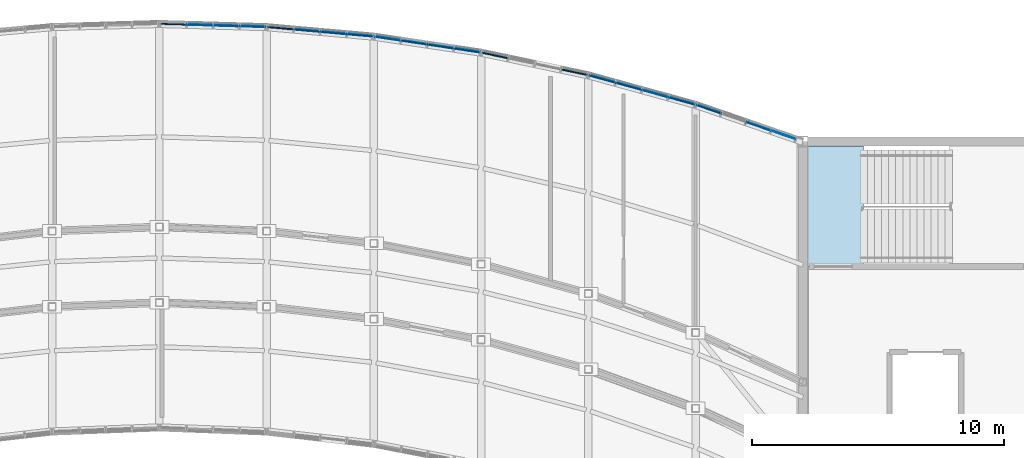
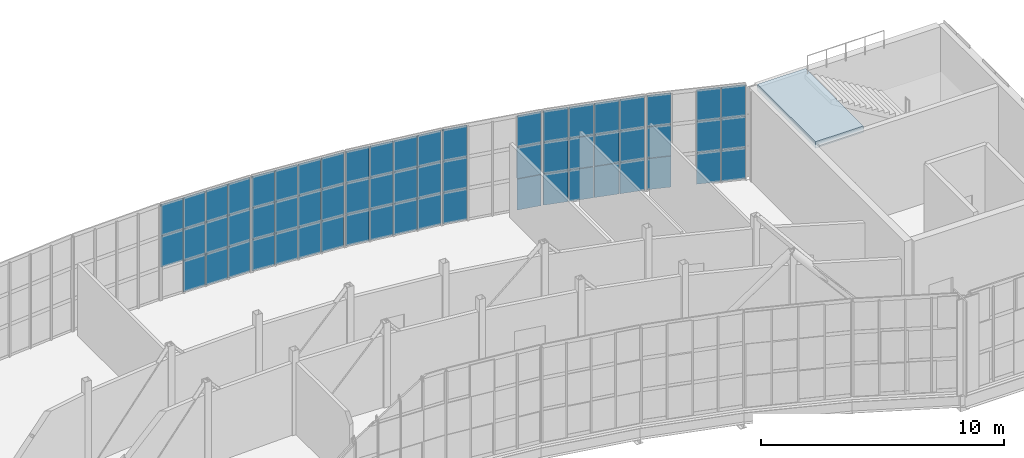
# One storey, part 38 of 46: 62 plates, 1 slab, 7 elements without a shape of their own.
"""IFC4 building model written with IfcOpenShell, lengths in metres."""

from ifc_helpers import new_model, si_unit, direction, frame, origin, origin_2d, place, context, subcontext, project, spatial, polyline, rectangle, outline, extrude, material, layer, layer_set, type_object, element, aggregate, save


model = new_model("IFC4")

# Units and contexts
model_context = context("Model", 3, precision=1e-05, world=origin(), true_north=direction((0.0, 1.0)))
body_context = subcontext(model_context, "Body", "Model", "MODEL_VIEW")
ifc_project = project(units=[si_unit("LENGTHUNIT", "METRE"), si_unit("AREAUNIT", "SQUARE_METRE"), si_unit("VOLUMEUNIT", "CUBIC_METRE"), si_unit("PLANEANGLEUNIT", "RADIAN"), si_unit("MASSUNIT", "GRAM", prefix="KILO")], contexts=[model_context])

# Site, building, storey
site_placement = place(None, origin())
site = spatial("IfcSite", under=ifc_project, at=site_placement, CompositionType="ELEMENT")
building_placement = place(site_placement, origin())
building = spatial("IfcBuilding", under=site, at=building_placement, Name="Solvikara Media Centre", CompositionType="ELEMENT")
storey_placement = place(building_placement, frame((0.0, 0.0, 24.60009765625)))
storey = spatial("IfcBuildingStorey", under=building, at=storey_placement, Name="L05", CompositionType="ELEMENT", Elevation=24.60009765625)

# Curtain wall, plates
ifc_material_1 = material(Name="Anodised aluminium EN AW-6063", Category="aluminium")
curtain_wall_type = type_object("IfcCurtainWallType", Name="CW-02", PredefinedType="NOTDEFINED", material=ifc_material_1)
curtain_wall_1_placement = place(storey_placement, origin())
curtain_wall_1 = element("IfcCurtainWall", 1, at=curtain_wall_1_placement, inside=storey, type_object=curtain_wall_type, Name="CW-L05-NARC-06", PredefinedType="NOTDEFINED")
ifc_material_2 = material(Name="Laminated solar-control cyan vision glass", Category="glass")
ifc_layer_1 = layer(ifc_material_2, 0.035888671875)
ifc_layer_set_1 = layer_set([ifc_layer_1], Name="Laminated solar-control cyan vision glass")
plate_type_1 = type_object("IfcPlateType", Name="PN-01", PredefinedType="CURTAIN_PANEL", material=ifc_layer_set_1)
plate_1_placement = place(storey_placement, frame((103.60205078125, 41.419921875, 1.62158203125), z_axis=(0.0, 0.0, 1.0), x_axis=(0.999560377741, -0.02964879847, 0.0)))
plate_1 = element("IfcPlate", 2, at=plate_1_placement, type_object=plate_type_1, Name="CW-L05-NARC-06-P0101", PredefinedType="CURTAIN_PANEL", context=body_context, shape_type="SweptSolid", body=[
    extrude(rectangle(XDim=1.014892578125, YDim=0.035888671875, at=origin_2d()), origin(), (0.0, 0.0, 1.0), 1.556884765625),
])
plate_2_placement = place(storey_placement, frame((103.60205078125, 41.419921875, 3.20849609375), z_axis=(0.0, 0.0, 1.0), x_axis=(0.999560377741, -0.02964879847, 0.0)))
plate_2 = element("IfcPlate", 3, at=plate_2_placement, type_object=plate_type_1, Name="CW-L05-NARC-06-P0102", PredefinedType="CURTAIN_PANEL", context=body_context, shape_type="SweptSolid", body=[
    extrude(rectangle(XDim=1.014892578125, YDim=0.035888671875, at=origin_2d()), origin(), (0.0, 0.0, 1.0), 1.556884765625),
])
plate_3_placement = place(storey_placement, frame((104.64794921875, 41.387939453125, 1.62158203125), z_axis=(0.0, 0.0, 1.0), x_axis=(0.999560377741, -0.02964879847, 0.0)))
plate_3 = element("IfcPlate", 4, at=plate_3_placement, type_object=plate_type_1, Name="CW-L05-NARC-06-P0201", PredefinedType="CURTAIN_PANEL", context=body_context, shape_type="SweptSolid", body=[
    extrude(rectangle(XDim=1.014892578125, YDim=0.035888671875, at=origin_2d()), origin(), (0.0, 0.0, 1.0), 1.556884765625),
])
plate_4_placement = place(storey_placement, frame((105.69189453125, 41.35791015625, 0.03466796875), z_axis=(0.0, 0.0, 1.0), x_axis=(0.999560377741, -0.02964879847, 0.0)))
plate_4 = element("IfcPlate", 5, at=plate_4_placement, type_object=plate_type_1, Name="CW-L05-NARC-06-P0300", PredefinedType="CURTAIN_PANEL", context=body_context, shape_type="SweptSolid", body=[
    extrude(rectangle(XDim=1.014892578125, YDim=0.035888671875, at=origin_2d()), origin(), (0.0, 0.0, 1.0), 1.556884765625),
])

curtain_wall_2_placement = place(storey_placement, origin())
curtain_wall_2 = element("IfcCurtainWall", 6, at=curtain_wall_2_placement, inside=storey, type_object=curtain_wall_type, Name="CW-L05-NARC-07", PredefinedType="NOTDEFINED")
plate_5_placement = place(storey_placement, frame((107.85302734375, 41.198974609375, 1.62158203125), z_axis=(0.0, 0.0, 1.0), x_axis=(0.99608438842, -0.088407528781, 0.0)))
plate_5 = element("IfcPlate", 7, at=plate_5_placement, type_object=plate_type_1, Name="CW-L05-NARC-07-P0101", PredefinedType="CURTAIN_PANEL", context=body_context, shape_type="SweptSolid", body=[
    extrude(rectangle(XDim=1.01904296875, YDim=0.035888671875, at=origin_2d()), origin(), (0.0, 0.0, 1.0), 1.556884765625),
])
plate_6_placement = place(storey_placement, frame((108.89794921875, 41.10595703125, 0.03466796875), z_axis=(0.0, 0.0, 1.0), x_axis=(0.99608438842, -0.088407528781, 0.0)))
plate_6 = element("IfcPlate", 8, at=plate_6_placement, type_object=plate_type_1, Name="CW-L05-NARC-07-P0200", PredefinedType="CURTAIN_PANEL", context=body_context, shape_type="SweptSolid", body=[
    extrude(rectangle(XDim=1.01904296875, YDim=0.035888671875, at=origin_2d()), origin(), (0.0, 0.0, 1.0), 1.556884765625),
])
plate_7_placement = place(storey_placement, frame((109.943115234375, 41.012939453125, 0.03466796875), z_axis=(0.0, 0.0, 1.0), x_axis=(0.99608438842, -0.088407528781, 0.0)))
plate_7 = element("IfcPlate", 9, at=plate_7_placement, type_object=plate_type_1, Name="CW-L05-NARC-07-P0300", PredefinedType="CURTAIN_PANEL", context=body_context, shape_type="SweptSolid", body=[
    extrude(rectangle(XDim=1.01904296875, YDim=0.035888671875, at=origin_2d()), origin(), (0.0, 0.0, 1.0), 1.556884765625),
])

curtain_wall_3_placement = place(storey_placement, origin())
curtain_wall_3 = element("IfcCurtainWall", 10, at=curtain_wall_3_placement, inside=storey, type_object=curtain_wall_type, Name="CW-L05-NARC-08", PredefinedType="NOTDEFINED")
plate_8_placement = place(storey_placement, frame((111.056884765625, 40.881103515625, 1.62158203125), z_axis=(0.0, 0.0, 1.0), x_axis=(0.989005541908, -0.147878457102, 0.0)))
plate_8 = element("IfcPlate", 11, at=plate_8_placement, type_object=plate_type_1, Name="CW-L05-NARC-08-P0001", PredefinedType="CURTAIN_PANEL", context=body_context, shape_type="SweptSolid", body=[
    extrude(rectangle(XDim=1.027099609375, YDim=0.035888671875, at=origin_2d()), origin(), (0.0, 0.0, 1.0), 1.556884765625),
])
plate_9_placement = place(storey_placement, frame((112.10302734375, 40.72509765625, 1.62158203125), z_axis=(0.0, 0.0, 1.0), x_axis=(0.989005541908, -0.147878457102, 0.0)))
plate_9 = element("IfcPlate", 12, at=plate_9_placement, type_object=plate_type_1, Name="CW-L05-NARC-08-P0101", PredefinedType="CURTAIN_PANEL", context=body_context, shape_type="SweptSolid", body=[
    extrude(rectangle(XDim=1.027099609375, YDim=0.035888671875, at=origin_2d()), origin(), (0.0, 0.0, 1.0), 1.556884765625),
])
plate_10_placement = place(storey_placement, frame((113.14794921875, 40.568115234375, 3.20849609375), z_axis=(0.0, 0.0, 1.0), x_axis=(0.989005541908, -0.147878457102, 0.0)))
plate_10 = element("IfcPlate", 13, at=plate_10_placement, type_object=plate_type_1, Name="CW-L05-NARC-08-P0202", PredefinedType="CURTAIN_PANEL", context=body_context, shape_type="SweptSolid", body=[
    extrude(rectangle(XDim=1.027099609375, YDim=0.035888671875, at=origin_2d()), origin(), (0.0, 0.0, 1.0), 1.556884765625),
])
plate_11_placement = place(storey_placement, frame((114.19189453125, 40.412109375, 0.03466796875), z_axis=(0.0, 0.0, 1.0), x_axis=(0.989005541908, -0.147878457102, 0.0)))
plate_11 = element("IfcPlate", 14, at=plate_11_placement, type_object=plate_type_1, Name="CW-L05-NARC-08-P0300", PredefinedType="CURTAIN_PANEL", context=body_context, shape_type="SweptSolid", body=[
    extrude(rectangle(XDim=1.027099609375, YDim=0.035888671875, at=origin_2d()), origin(), (0.0, 0.0, 1.0), 1.556884765625),
])

curtain_wall_4_placement = place(storey_placement, origin())
curtain_wall_4 = element("IfcCurtainWall", 15, at=curtain_wall_4_placement, inside=storey, type_object=curtain_wall_type, Name="CW-L05-NARC-10", PredefinedType="NOTDEFINED")
plate_12_placement = place(storey_placement, frame((119.556884765625, 39.278076171875, 3.20849609375), z_axis=(0.0, 0.0, 1.0), x_axis=(0.964030487854, -0.265791682504, 0.0)))
plate_12 = element("IfcPlate", 16, at=plate_12_placement, type_object=plate_type_1, Name="CW-L05-NARC-10-P0002", PredefinedType="CURTAIN_PANEL", context=body_context, shape_type="SweptSolid", body=[
    extrude(rectangle(XDim=1.054931640625, YDim=0.035888671875, at=origin_2d()), origin(), (0.0, 0.0, 1.0), 1.556884765625),
])
plate_13_placement = place(storey_placement, frame((120.60205078125, 38.989990234375, 1.62158203125), z_axis=(0.0, 0.0, 1.0), x_axis=(0.964030487854, -0.265791682504, 0.0)))
plate_13 = element("IfcPlate", 17, at=plate_13_placement, type_object=plate_type_1, Name="CW-L05-NARC-10-P0101", PredefinedType="CURTAIN_PANEL", context=body_context, shape_type="SweptSolid", body=[
    extrude(rectangle(XDim=1.054931640625, YDim=0.035888671875, at=origin_2d()), origin(), (0.0, 0.0, 1.0), 1.556884765625),
])
plate_14_placement = place(storey_placement, frame((121.64697265625, 38.700927734375, 0.03466796875), z_axis=(0.0, 0.0, 1.0), x_axis=(0.964030487854, -0.265791682504, 0.0)))
plate_14 = element("IfcPlate", 18, at=plate_14_placement, type_object=plate_type_1, Name="CW-L05-NARC-10-P0200", PredefinedType="CURTAIN_PANEL", context=body_context, shape_type="SweptSolid", body=[
    extrude(rectangle(XDim=1.054931640625, YDim=0.035888671875, at=origin_2d()), origin(), (0.0, 0.0, 1.0), 1.556884765625),
])
plate_15_placement = place(storey_placement, frame((121.64697265625, 38.700927734375, 3.20849609375), z_axis=(0.0, 0.0, 1.0), x_axis=(0.964030487854, -0.265791682504, 0.0)))
plate_15 = element("IfcPlate", 19, at=plate_15_placement, type_object=plate_type_1, Name="CW-L05-NARC-10-P0202", PredefinedType="CURTAIN_PANEL", context=body_context, shape_type="SweptSolid", body=[
    extrude(rectangle(XDim=1.054931640625, YDim=0.035888671875, at=origin_2d()), origin(), (0.0, 0.0, 1.0), 1.556884765625),
])
plate_16_placement = place(storey_placement, frame((122.693115234375, 38.4130859375, 1.62158203125), z_axis=(0.0, 0.0, 1.0), x_axis=(0.964030487854, -0.265791682504, 0.0)))
plate_16 = element("IfcPlate", 20, at=plate_16_placement, type_object=plate_type_1, Name="CW-L05-NARC-10-P0301", PredefinedType="CURTAIN_PANEL", context=body_context, shape_type="SweptSolid", body=[
    extrude(rectangle(XDim=1.054931640625, YDim=0.035888671875, at=origin_2d()), origin(), (0.0, 0.0, 1.0), 1.556884765625),
])

curtain_wall_5_placement = place(storey_placement, origin())
curtain_wall_5 = element("IfcCurtainWall", 21, at=curtain_wall_5_placement, inside=storey, type_object=curtain_wall_type, Name="CW-L05-NARC-11", PredefinedType="NOTDEFINED")
plate_17_placement = place(storey_placement, frame((123.77490234375, 38.080078125, 0.03466796875), z_axis=(0.0, 0.0, 1.0), x_axis=(0.945705932557, -0.325023520882, 0.0)))
plate_17 = element("IfcPlate", 22, at=plate_17_placement, type_object=plate_type_1, Name="CW-L05-NARC-11-P0000", PredefinedType="CURTAIN_PANEL", context=body_context, shape_type="SweptSolid", body=[
    extrude(rectangle(XDim=1.009033203125, YDim=0.035888671875, at=origin_2d()), origin(), (0.0, 0.0, 1.0), 1.556884765625),
])
plate_18_placement = place(storey_placement, frame((125.739990234375, 37.405029296875, 0.03466796875), z_axis=(0.0, 0.0, 1.0), x_axis=(0.945705932557, -0.325023520882, 0.0)))
plate_18 = element("IfcPlate", 23, at=plate_18_placement, type_object=plate_type_1, Name="CW-L05-NARC-11-P0200", PredefinedType="CURTAIN_PANEL", context=body_context, shape_type="SweptSolid", body=[
    extrude(rectangle(XDim=1.009033203125, YDim=0.035888671875, at=origin_2d()), origin(), (0.0, 0.0, 1.0), 1.556884765625),
])
plate_19_placement = place(storey_placement, frame((125.739990234375, 37.405029296875, 1.62158203125), z_axis=(0.0, 0.0, 1.0), x_axis=(0.945705932557, -0.325023520882, 0.0)))
plate_19 = element("IfcPlate", 24, at=plate_19_placement, type_object=plate_type_1, Name="CW-L05-NARC-11-P0201", PredefinedType="CURTAIN_PANEL", context=body_context, shape_type="SweptSolid", body=[
    extrude(rectangle(XDim=1.009033203125, YDim=0.035888671875, at=origin_2d()), origin(), (0.0, 0.0, 1.0), 1.556884765625),
])
plate_20_placement = place(storey_placement, frame((126.722900390625, 37.06689453125, 0.03466796875), z_axis=(0.0, 0.0, 1.0), x_axis=(0.945705932557, -0.325023520882, 0.0)))
plate_20 = element("IfcPlate", 25, at=plate_20_placement, type_object=plate_type_1, Name="CW-L05-NARC-11-P0300", PredefinedType="CURTAIN_PANEL", context=body_context, shape_type="SweptSolid", body=[
    extrude(rectangle(XDim=1.009033203125, YDim=0.035888671875, at=origin_2d()), origin(), (0.0, 0.0, 1.0), 1.556884765625),
])
plate_21_placement = place(storey_placement, frame((126.722900390625, 37.06689453125, 1.62158203125), z_axis=(0.0, 0.0, 1.0), x_axis=(0.945705932557, -0.325023520882, 0.0)))
plate_21 = element("IfcPlate", 26, at=plate_21_placement, type_object=plate_type_1, Name="CW-L05-NARC-11-P0301", PredefinedType="CURTAIN_PANEL", context=body_context, shape_type="SweptSolid", body=[
    extrude(rectangle(XDim=1.009033203125, YDim=0.035888671875, at=origin_2d()), origin(), (0.0, 0.0, 1.0), 1.556884765625),
])
plate_22_placement = place(storey_placement, frame((126.722900390625, 37.06689453125, 3.20849609375), z_axis=(0.0, 0.0, 1.0), x_axis=(0.945705932557, -0.325023520882, 0.0)))
plate_22 = element("IfcPlate", 27, at=plate_22_placement, type_object=plate_type_1, Name="CW-L05-NARC-11-P0302", PredefinedType="CURTAIN_PANEL", context=body_context, shape_type="SweptSolid", body=[
    extrude(rectangle(XDim=1.009033203125, YDim=0.035888671875, at=origin_2d()), origin(), (0.0, 0.0, 1.0), 1.556884765625),
])

# Plate
ifc_material_3 = material(Name="Ceramic-fritted teal low-E glass", Category="glass")
ifc_layer_2 = layer(ifc_material_3, 0.0419921875)
ifc_layer_set_2 = layer_set([ifc_layer_2], Name="Ceramic-fritted teal low-E glass")
plate_type_2 = type_object("IfcPlateType", Name="PN-02", PredefinedType="CURTAIN_PANEL", material=ifc_layer_set_2)
plate_23_placement = place(storey_placement, frame((102.55810546875, 41.449951171875, 1.62158203125), z_axis=(0.0, 0.0, 1.0), x_axis=(0.999560377741, -0.02964879847, 0.0)))
plate_23 = element("IfcPlate", 28, at=plate_23_placement, type_object=plate_type_2, Name="CW-L05-NARC-06-P0001", PredefinedType="CURTAIN_PANEL", context=body_context, shape_type="SweptSolid", body=[
    extrude(rectangle(XDim=1.014892578125, YDim=0.0419921875, at=origin_2d()), origin(), (0.0, 0.0, 1.0), 1.556884765625),
])

plate_24_placement = place(storey_placement, frame((102.55810546875, 41.449951171875, 3.20849609375), z_axis=(0.0, 0.0, 1.0), x_axis=(0.999560377741, -0.02964879847, 0.0)))
plate_24 = element("IfcPlate", 29, at=plate_24_placement, type_object=plate_type_2, Name="CW-L05-NARC-06-P0002", PredefinedType="CURTAIN_PANEL", context=body_context, shape_type="SweptSolid", body=[
    extrude(rectangle(XDim=1.014892578125, YDim=0.0419921875, at=origin_2d()), origin(), (0.0, 0.0, 1.0), 1.556884765625),
])

plate_25_placement = place(storey_placement, frame((103.60205078125, 41.419921875, 0.03466796875), z_axis=(0.0, 0.0, 1.0), x_axis=(0.999560377741, -0.02964879847, 0.0)))
plate_25 = element("IfcPlate", 30, at=plate_25_placement, type_object=plate_type_2, Name="CW-L05-NARC-06-P0100", PredefinedType="CURTAIN_PANEL", context=body_context, shape_type="SweptSolid", body=[
    extrude(rectangle(XDim=1.014892578125, YDim=0.0419921875, at=origin_2d()), origin(), (0.0, 0.0, 1.0), 1.556884765625),
])

plate_26_placement = place(storey_placement, frame((104.64794921875, 41.387939453125, 3.20849609375), z_axis=(0.0, 0.0, 1.0), x_axis=(0.999560377741, -0.02964879847, 0.0)))
plate_26 = element("IfcPlate", 31, at=plate_26_placement, type_object=plate_type_2, Name="CW-L05-NARC-06-P0202", PredefinedType="CURTAIN_PANEL", context=body_context, shape_type="SweptSolid", body=[
    extrude(rectangle(XDim=1.014892578125, YDim=0.0419921875, at=origin_2d()), origin(), (0.0, 0.0, 1.0), 1.556884765625),
])

plate_27_placement = place(storey_placement, frame((105.69189453125, 41.35791015625, 1.62158203125), z_axis=(0.0, 0.0, 1.0), x_axis=(0.999560377741, -0.02964879847, 0.0)))
plate_27 = element("IfcPlate", 32, at=plate_27_placement, type_object=plate_type_2, Name="CW-L05-NARC-06-P0301", PredefinedType="CURTAIN_PANEL", context=body_context, shape_type="SweptSolid", body=[
    extrude(rectangle(XDim=1.014892578125, YDim=0.0419921875, at=origin_2d()), origin(), (0.0, 0.0, 1.0), 1.556884765625),
])

plate_28_placement = place(storey_placement, frame((106.80810546875, 41.2919921875, 1.62158203125), z_axis=(0.0, 0.0, 1.0), x_axis=(0.99608438842, -0.088407528781, 0.0)))
plate_28 = element("IfcPlate", 33, at=plate_28_placement, type_object=plate_type_2, Name="CW-L05-NARC-07-P0001", PredefinedType="CURTAIN_PANEL", context=body_context, shape_type="SweptSolid", body=[
    extrude(rectangle(XDim=1.01904296875, YDim=0.0419921875, at=origin_2d()), origin(), (0.0, 0.0, 1.0), 1.556884765625),
])

plate_29_placement = place(storey_placement, frame((106.80810546875, 41.2919921875, 3.20849609375), z_axis=(0.0, 0.0, 1.0), x_axis=(0.99608438842, -0.088407528781, 0.0)))
plate_29 = element("IfcPlate", 34, at=plate_29_placement, type_object=plate_type_2, Name="CW-L05-NARC-07-P0002", PredefinedType="CURTAIN_PANEL", context=body_context, shape_type="SweptSolid", body=[
    extrude(rectangle(XDim=1.01904296875, YDim=0.0419921875, at=origin_2d()), origin(), (0.0, 0.0, 1.0), 1.556884765625),
])

plate_30_placement = place(storey_placement, frame((107.85302734375, 41.198974609375, 0.03466796875), z_axis=(0.0, 0.0, 1.0), x_axis=(0.99608438842, -0.088407528781, 0.0)))
plate_30 = element("IfcPlate", 35, at=plate_30_placement, type_object=plate_type_2, Name="CW-L05-NARC-07-P0100", PredefinedType="CURTAIN_PANEL", context=body_context, shape_type="SweptSolid", body=[
    extrude(rectangle(XDim=1.01904296875, YDim=0.0419921875, at=origin_2d()), origin(), (0.0, 0.0, 1.0), 1.556884765625),
])

plate_31_placement = place(storey_placement, frame((107.85302734375, 41.198974609375, 3.20849609375), z_axis=(0.0, 0.0, 1.0), x_axis=(0.99608438842, -0.088407528781, 0.0)))
plate_31 = element("IfcPlate", 36, at=plate_31_placement, type_object=plate_type_2, Name="CW-L05-NARC-07-P0102", PredefinedType="CURTAIN_PANEL", context=body_context, shape_type="SweptSolid", body=[
    extrude(rectangle(XDim=1.01904296875, YDim=0.0419921875, at=origin_2d()), origin(), (0.0, 0.0, 1.0), 1.556884765625),
])

plate_32_placement = place(storey_placement, frame((108.89794921875, 41.10595703125, 1.62158203125), z_axis=(0.0, 0.0, 1.0), x_axis=(0.99608438842, -0.088407528781, 0.0)))
plate_32 = element("IfcPlate", 37, at=plate_32_placement, type_object=plate_type_2, Name="CW-L05-NARC-07-P0201", PredefinedType="CURTAIN_PANEL", context=body_context, shape_type="SweptSolid", body=[
    extrude(rectangle(XDim=1.01904296875, YDim=0.0419921875, at=origin_2d()), origin(), (0.0, 0.0, 1.0), 1.556884765625),
])

plate_33_placement = place(storey_placement, frame((108.89794921875, 41.10595703125, 3.20849609375), z_axis=(0.0, 0.0, 1.0), x_axis=(0.99608438842, -0.088407528781, 0.0)))
plate_33 = element("IfcPlate", 38, at=plate_33_placement, type_object=plate_type_2, Name="CW-L05-NARC-07-P0202", PredefinedType="CURTAIN_PANEL", context=body_context, shape_type="SweptSolid", body=[
    extrude(rectangle(XDim=1.01904296875, YDim=0.0419921875, at=origin_2d()), origin(), (0.0, 0.0, 1.0), 1.556884765625),
])

plate_34_placement = place(storey_placement, frame((109.943115234375, 41.012939453125, 1.62158203125), z_axis=(0.0, 0.0, 1.0), x_axis=(0.99608438842, -0.088407528781, 0.0)))
plate_34 = element("IfcPlate", 39, at=plate_34_placement, type_object=plate_type_2, Name="CW-L05-NARC-07-P0301", PredefinedType="CURTAIN_PANEL", context=body_context, shape_type="SweptSolid", body=[
    extrude(rectangle(XDim=1.01904296875, YDim=0.0419921875, at=origin_2d()), origin(), (0.0, 0.0, 1.0), 1.556884765625),
])

plate_35_placement = place(storey_placement, frame((109.943115234375, 41.012939453125, 3.20849609375), z_axis=(0.0, 0.0, 1.0), x_axis=(0.99608438842, -0.088407528781, 0.0)))
plate_35 = element("IfcPlate", 40, at=plate_35_placement, type_object=plate_type_2, Name="CW-L05-NARC-07-P0302", PredefinedType="CURTAIN_PANEL", context=body_context, shape_type="SweptSolid", body=[
    extrude(rectangle(XDim=1.01904296875, YDim=0.0419921875, at=origin_2d()), origin(), (0.0, 0.0, 1.0), 1.556884765625),
])

plate_36_placement = place(storey_placement, frame((111.056884765625, 40.881103515625, 0.03466796875), z_axis=(0.0, 0.0, 1.0), x_axis=(0.989005541908, -0.147878457102, 0.0)))
plate_36 = element("IfcPlate", 41, at=plate_36_placement, type_object=plate_type_2, Name="CW-L05-NARC-08-P0000", PredefinedType="CURTAIN_PANEL", context=body_context, shape_type="SweptSolid", body=[
    extrude(rectangle(XDim=1.027099609375, YDim=0.0419921875, at=origin_2d()), origin(), (0.0, 0.0, 1.0), 1.556884765625),
])

plate_37_placement = place(storey_placement, frame((112.10302734375, 40.72509765625, 0.03466796875), z_axis=(0.0, 0.0, 1.0), x_axis=(0.989005541908, -0.147878457102, 0.0)))
plate_37 = element("IfcPlate", 42, at=plate_37_placement, type_object=plate_type_2, Name="CW-L05-NARC-08-P0100", PredefinedType="CURTAIN_PANEL", context=body_context, shape_type="SweptSolid", body=[
    extrude(rectangle(XDim=1.027099609375, YDim=0.0419921875, at=origin_2d()), origin(), (0.0, 0.0, 1.0), 1.556884765625),
])

plate_38_placement = place(storey_placement, frame((112.10302734375, 40.72509765625, 3.20849609375), z_axis=(0.0, 0.0, 1.0), x_axis=(0.989005541908, -0.147878457102, 0.0)))
plate_38 = element("IfcPlate", 43, at=plate_38_placement, type_object=plate_type_2, Name="CW-L05-NARC-08-P0102", PredefinedType="CURTAIN_PANEL", context=body_context, shape_type="SweptSolid", body=[
    extrude(rectangle(XDim=1.027099609375, YDim=0.0419921875, at=origin_2d()), origin(), (0.0, 0.0, 1.0), 1.556884765625),
])

plate_39_placement = place(storey_placement, frame((113.14794921875, 40.568115234375, 0.03466796875), z_axis=(0.0, 0.0, 1.0), x_axis=(0.989005541908, -0.147878457102, 0.0)))
plate_39 = element("IfcPlate", 44, at=plate_39_placement, type_object=plate_type_2, Name="CW-L05-NARC-08-P0200", PredefinedType="CURTAIN_PANEL", context=body_context, shape_type="SweptSolid", body=[
    extrude(rectangle(XDim=1.027099609375, YDim=0.0419921875, at=origin_2d()), origin(), (0.0, 0.0, 1.0), 1.556884765625),
])

plate_40_placement = place(storey_placement, frame((113.14794921875, 40.568115234375, 1.62158203125), z_axis=(0.0, 0.0, 1.0), x_axis=(0.989005541908, -0.147878457102, 0.0)))
plate_40 = element("IfcPlate", 45, at=plate_40_placement, type_object=plate_type_2, Name="CW-L05-NARC-08-P0201", PredefinedType="CURTAIN_PANEL", context=body_context, shape_type="SweptSolid", body=[
    extrude(rectangle(XDim=1.027099609375, YDim=0.0419921875, at=origin_2d()), origin(), (0.0, 0.0, 1.0), 1.556884765625),
])

plate_41_placement = place(storey_placement, frame((114.19189453125, 40.412109375, 1.62158203125), z_axis=(0.0, 0.0, 1.0), x_axis=(0.989005541908, -0.147878457102, 0.0)))
plate_41 = element("IfcPlate", 46, at=plate_41_placement, type_object=plate_type_2, Name="CW-L05-NARC-08-P0301", PredefinedType="CURTAIN_PANEL", context=body_context, shape_type="SweptSolid", body=[
    extrude(rectangle(XDim=1.027099609375, YDim=0.0419921875, at=origin_2d()), origin(), (0.0, 0.0, 1.0), 1.556884765625),
])

plate_42_placement = place(storey_placement, frame((114.19189453125, 40.412109375, 3.20849609375), z_axis=(0.0, 0.0, 1.0), x_axis=(0.989005541908, -0.147878457102, 0.0)))
plate_42 = element("IfcPlate", 47, at=plate_42_placement, type_object=plate_type_2, Name="CW-L05-NARC-08-P0302", PredefinedType="CURTAIN_PANEL", context=body_context, shape_type="SweptSolid", body=[
    extrude(rectangle(XDim=1.027099609375, YDim=0.0419921875, at=origin_2d()), origin(), (0.0, 0.0, 1.0), 1.556884765625),
])

# Curtain wall, plates
curtain_wall_6_placement = place(storey_placement, origin())
curtain_wall_6 = element("IfcCurtainWall", 48, at=curtain_wall_6_placement, inside=storey, type_object=curtain_wall_type, Name="CW-L05-NARC-09", PredefinedType="NOTDEFINED")
plate_43_placement = place(storey_placement, frame((115.305908203125, 40.2119140625, 0.03466796875), z_axis=(0.0, 0.0, 1.0), x_axis=(0.97837923005, -0.206818959981, 0.0)))
plate_43 = element("IfcPlate", 49, at=plate_43_placement, type_object=plate_type_2, Name="CW-L05-NARC-09-P0000", PredefinedType="CURTAIN_PANEL", context=body_context, shape_type="SweptSolid", body=[
    extrude(rectangle(XDim=1.0390625, YDim=0.0419921875, at=origin_2d()), origin(), (0.0, 0.0, 1.0), 1.556884765625),
])
plate_44_placement = place(storey_placement, frame((115.305908203125, 40.2119140625, 1.62158203125), z_axis=(0.0, 0.0, 1.0), x_axis=(0.97837923005, -0.206818959981, 0.0)))
plate_44 = element("IfcPlate", 50, at=plate_44_placement, type_object=plate_type_2, Name="CW-L05-NARC-09-P0001", PredefinedType="CURTAIN_PANEL", context=body_context, shape_type="SweptSolid", body=[
    extrude(rectangle(XDim=1.0390625, YDim=0.0419921875, at=origin_2d()), origin(), (0.0, 0.0, 1.0), 1.556884765625),
])
plate_45_placement = place(storey_placement, frame((118.443115234375, 39.549072265625, 0.03466796875), z_axis=(0.0, 0.0, 1.0), x_axis=(0.97837923005, -0.206818959981, 0.0)))
plate_45 = element("IfcPlate", 51, at=plate_45_placement, type_object=plate_type_2, Name="CW-L05-NARC-09-P0300", PredefinedType="CURTAIN_PANEL", context=body_context, shape_type="SweptSolid", body=[
    extrude(rectangle(XDim=1.0390625, YDim=0.0419921875, at=origin_2d()), origin(), (0.0, 0.0, 1.0), 1.556884765625),
])
plate_46_placement = place(storey_placement, frame((118.443115234375, 39.549072265625, 3.20849609375), z_axis=(0.0, 0.0, 1.0), x_axis=(0.97837923005, -0.206818959981, 0.0)))
plate_46 = element("IfcPlate", 52, at=plate_46_placement, type_object=plate_type_2, Name="CW-L05-NARC-09-P0302", PredefinedType="CURTAIN_PANEL", context=body_context, shape_type="SweptSolid", body=[
    extrude(rectangle(XDim=1.0390625, YDim=0.0419921875, at=origin_2d()), origin(), (0.0, 0.0, 1.0), 1.556884765625),
])

# Plate
plate_47_placement = place(storey_placement, frame((119.556884765625, 39.278076171875, 0.03466796875), z_axis=(0.0, 0.0, 1.0), x_axis=(0.964030487854, -0.265791682504, 0.0)))
plate_47 = element("IfcPlate", 53, at=plate_47_placement, type_object=plate_type_2, Name="CW-L05-NARC-10-P0000", PredefinedType="CURTAIN_PANEL", context=body_context, shape_type="SweptSolid", body=[
    extrude(rectangle(XDim=1.054931640625, YDim=0.0419921875, at=origin_2d()), origin(), (0.0, 0.0, 1.0), 1.556884765625),
])

plate_48_placement = place(storey_placement, frame((119.556884765625, 39.278076171875, 1.62158203125), z_axis=(0.0, 0.0, 1.0), x_axis=(0.964030487854, -0.265791682504, 0.0)))
plate_48 = element("IfcPlate", 54, at=plate_48_placement, type_object=plate_type_2, Name="CW-L05-NARC-10-P0001", PredefinedType="CURTAIN_PANEL", context=body_context, shape_type="SweptSolid", body=[
    extrude(rectangle(XDim=1.054931640625, YDim=0.0419921875, at=origin_2d()), origin(), (0.0, 0.0, 1.0), 1.556884765625),
])

plate_49_placement = place(storey_placement, frame((120.60205078125, 38.989990234375, 0.03466796875), z_axis=(0.0, 0.0, 1.0), x_axis=(0.964030487854, -0.265791682504, 0.0)))
plate_49 = element("IfcPlate", 55, at=plate_49_placement, type_object=plate_type_2, Name="CW-L05-NARC-10-P0100", PredefinedType="CURTAIN_PANEL", context=body_context, shape_type="SweptSolid", body=[
    extrude(rectangle(XDim=1.054931640625, YDim=0.0419921875, at=origin_2d()), origin(), (0.0, 0.0, 1.0), 1.556884765625),
])

plate_50_placement = place(storey_placement, frame((120.60205078125, 38.989990234375, 3.20849609375), z_axis=(0.0, 0.0, 1.0), x_axis=(0.964030487854, -0.265791682504, 0.0)))
plate_50 = element("IfcPlate", 56, at=plate_50_placement, type_object=plate_type_2, Name="CW-L05-NARC-10-P0102", PredefinedType="CURTAIN_PANEL", context=body_context, shape_type="SweptSolid", body=[
    extrude(rectangle(XDim=1.054931640625, YDim=0.0419921875, at=origin_2d()), origin(), (0.0, 0.0, 1.0), 1.556884765625),
])

plate_51_placement = place(storey_placement, frame((121.64697265625, 38.700927734375, 1.62158203125), z_axis=(0.0, 0.0, 1.0), x_axis=(0.964030487854, -0.265791682504, 0.0)))
plate_51 = element("IfcPlate", 57, at=plate_51_placement, type_object=plate_type_2, Name="CW-L05-NARC-10-P0201", PredefinedType="CURTAIN_PANEL", context=body_context, shape_type="SweptSolid", body=[
    extrude(rectangle(XDim=1.054931640625, YDim=0.0419921875, at=origin_2d()), origin(), (0.0, 0.0, 1.0), 1.556884765625),
])

plate_52_placement = place(storey_placement, frame((122.693115234375, 38.4130859375, 0.03466796875), z_axis=(0.0, 0.0, 1.0), x_axis=(0.964030487854, -0.265791682504, 0.0)))
plate_52 = element("IfcPlate", 58, at=plate_52_placement, type_object=plate_type_2, Name="CW-L05-NARC-10-P0300", PredefinedType="CURTAIN_PANEL", context=body_context, shape_type="SweptSolid", body=[
    extrude(rectangle(XDim=1.054931640625, YDim=0.0419921875, at=origin_2d()), origin(), (0.0, 0.0, 1.0), 1.556884765625),
])

plate_53_placement = place(storey_placement, frame((122.693115234375, 38.4130859375, 3.20849609375), z_axis=(0.0, 0.0, 1.0), x_axis=(0.964030487854, -0.265791682504, 0.0)))
plate_53 = element("IfcPlate", 59, at=plate_53_placement, type_object=plate_type_2, Name="CW-L05-NARC-10-P0302", PredefinedType="CURTAIN_PANEL", context=body_context, shape_type="SweptSolid", body=[
    extrude(rectangle(XDim=1.054931640625, YDim=0.0419921875, at=origin_2d()), origin(), (0.0, 0.0, 1.0), 1.556884765625),
])

aggregate(curtain_wall_4, [plate_47, plate_48, plate_12, plate_49, plate_13, plate_50, plate_14, plate_51, plate_15, plate_52, plate_16, plate_53])

plate_54_placement = place(storey_placement, frame((123.77490234375, 38.080078125, 1.62158203125), z_axis=(0.0, 0.0, 1.0), x_axis=(0.945705932557, -0.325023520882, 0.0)))
plate_54 = element("IfcPlate", 60, at=plate_54_placement, type_object=plate_type_2, Name="CW-L05-NARC-11-P0001", PredefinedType="CURTAIN_PANEL", context=body_context, shape_type="SweptSolid", body=[
    extrude(rectangle(XDim=1.009033203125, YDim=0.0419921875, at=origin_2d()), origin(), (0.0, 0.0, 1.0), 1.556884765625),
])

plate_55_placement = place(storey_placement, frame((123.77490234375, 38.080078125, 3.20849609375), z_axis=(0.0, 0.0, 1.0), x_axis=(0.945705932557, -0.325023520882, 0.0)))
plate_55 = element("IfcPlate", 61, at=plate_55_placement, type_object=plate_type_2, Name="CW-L05-NARC-11-P0002", PredefinedType="CURTAIN_PANEL", context=body_context, shape_type="SweptSolid", body=[
    extrude(rectangle(XDim=1.009033203125, YDim=0.0419921875, at=origin_2d()), origin(), (0.0, 0.0, 1.0), 1.556884765625),
])

plate_56_placement = place(storey_placement, frame((125.739990234375, 37.405029296875, 3.20849609375), z_axis=(0.0, 0.0, 1.0), x_axis=(0.945705932557, -0.325023520882, 0.0)))
plate_56 = element("IfcPlate", 62, at=plate_56_placement, type_object=plate_type_2, Name="CW-L05-NARC-11-P0202", PredefinedType="CURTAIN_PANEL", context=body_context, shape_type="SweptSolid", body=[
    extrude(rectangle(XDim=1.009033203125, YDim=0.0419921875, at=origin_2d()), origin(), (0.0, 0.0, 1.0), 1.556884765625),
])

aggregate(curtain_wall_5, [plate_17, plate_54, plate_55, plate_18, plate_19, plate_56, plate_20, plate_21, plate_22])

ifc_material_4 = material(Name="Insulated silver-pearl glass spandrel panel", Category="glass")
ifc_layer_3 = layer(ifc_material_4, 0.054931640625)
ifc_layer_set_3 = layer_set([ifc_layer_3], Name="Insulated silver-pearl glass spandrel panel")
plate_type_3 = type_object("IfcPlateType", Name="PN-03", PredefinedType="CURTAIN_PANEL", material=ifc_layer_set_3)
plate_57_placement = place(storey_placement, frame((104.64794921875, 41.387939453125, 0.03466796875), z_axis=(0.0, 0.0, 1.0), x_axis=(0.999560377741, -0.02964879847, 0.0)))
plate_57 = element("IfcPlate", 63, at=plate_57_placement, type_object=plate_type_3, Name="CW-L05-NARC-06-P0200", PredefinedType="CURTAIN_PANEL", context=body_context, shape_type="SweptSolid", body=[
    extrude(rectangle(XDim=1.014892578125, YDim=0.054931640625, at=origin_2d()), origin(), (0.0, 0.0, 1.0), 1.556884765625),
])

plate_58_placement = place(storey_placement, frame((105.69189453125, 41.35791015625, 3.20849609375), z_axis=(0.0, 0.0, 1.0), x_axis=(0.999560377741, -0.02964879847, 0.0)))
plate_58 = element("IfcPlate", 64, at=plate_58_placement, type_object=plate_type_3, Name="CW-L05-NARC-06-P0302", PredefinedType="CURTAIN_PANEL", context=body_context, shape_type="SweptSolid", body=[
    extrude(rectangle(XDim=1.014892578125, YDim=0.054931640625, at=origin_2d()), origin(), (0.0, 0.0, 1.0), 1.556884765625),
])

aggregate(curtain_wall_1, [plate_23, plate_24, plate_25, plate_1, plate_2, plate_57, plate_3, plate_26, plate_4, plate_27, plate_58])

plate_59_placement = place(storey_placement, frame((106.80810546875, 41.2919921875, 0.03466796875), z_axis=(0.0, 0.0, 1.0), x_axis=(0.99608438842, -0.088407528781, 0.0)))
plate_59 = element("IfcPlate", 65, at=plate_59_placement, type_object=plate_type_3, Name="CW-L05-NARC-07-P0000", PredefinedType="CURTAIN_PANEL", context=body_context, shape_type="SweptSolid", body=[
    extrude(rectangle(XDim=1.01904296875, YDim=0.054931640625, at=origin_2d()), origin(), (0.0, 0.0, 1.0), 1.556884765625),
])

aggregate(curtain_wall_2, [plate_59, plate_28, plate_29, plate_30, plate_5, plate_31, plate_6, plate_32, plate_33, plate_7, plate_34, plate_35])

plate_60_placement = place(storey_placement, frame((111.056884765625, 40.881103515625, 3.20849609375), z_axis=(0.0, 0.0, 1.0), x_axis=(0.989005541908, -0.147878457102, 0.0)))
plate_60 = element("IfcPlate", 66, at=plate_60_placement, type_object=plate_type_3, Name="CW-L05-NARC-08-P0002", PredefinedType="CURTAIN_PANEL", context=body_context, shape_type="SweptSolid", body=[
    extrude(rectangle(XDim=1.027099609375, YDim=0.054931640625, at=origin_2d()), origin(), (0.0, 0.0, 1.0), 1.556884765625),
])

aggregate(curtain_wall_3, [plate_36, plate_8, plate_60, plate_37, plate_9, plate_38, plate_39, plate_40, plate_10, plate_11, plate_41, plate_42])

plate_61_placement = place(storey_placement, frame((115.305908203125, 40.2119140625, 3.20849609375), z_axis=(0.0, 0.0, 1.0), x_axis=(0.97837923005, -0.206818959981, 0.0)))
plate_61 = element("IfcPlate", 67, at=plate_61_placement, type_object=plate_type_3, Name="CW-L05-NARC-09-P0002", PredefinedType="CURTAIN_PANEL", context=body_context, shape_type="SweptSolid", body=[
    extrude(rectangle(XDim=1.0390625, YDim=0.054931640625, at=origin_2d()), origin(), (0.0, 0.0, 1.0), 1.556884765625),
])

plate_62_placement = place(storey_placement, frame((118.443115234375, 39.549072265625, 1.62158203125), z_axis=(0.0, 0.0, 1.0), x_axis=(0.97837923005, -0.206818959981, 0.0)))
plate_62 = element("IfcPlate", 68, at=plate_62_placement, type_object=plate_type_3, Name="CW-L05-NARC-09-P0301", PredefinedType="CURTAIN_PANEL", context=body_context, shape_type="SweptSolid", body=[
    extrude(rectangle(XDim=1.0390625, YDim=0.054931640625, at=origin_2d()), origin(), (0.0, 0.0, 1.0), 1.556884765625),
])

aggregate(curtain_wall_6, [plate_43, plate_44, plate_61, plate_45, plate_62, plate_46])

# Stair, slab
ifc_material_5 = material(Name="Concrete fc' 35 MPa (C35/45)", Category="concrete")
stair_type = type_object("IfcStairType", Name="SR-01", PredefinedType="HALF_TURN_STAIR", material=ifc_material_5)
stair_placement = place(storey_placement, origin())
stair = element("IfcStair", 69, at=stair_placement, inside=storey, type_object=stair_type, Name="ST-C4-L05", PredefinedType="HALF_TURN_STAIR")
ifc_layer_4 = layer(ifc_material_5, 0.330078125)
ifc_layer_set_4 = layer_set([ifc_layer_4], Name="Concrete fc' 35 MPa (C35/45)")
slab_type = type_object("IfcSlabType", Name="ST-15", PredefinedType="LANDING", material=ifc_layer_set_4)
slab_placement = place(storey_placement, frame((0.0, 0.0, 4.469970703125)))
slab = element("IfcSlab", 70, at=slab_placement, type_object=slab_type, Name="ST-C4-L05-ARR", PredefinedType="LANDING", context=body_context, shape_type="SweptSolid", body=[
    extrude(outline(polyline([(127.6201171875, 31.85009765625), (129.89990234375, 31.85009765625), (129.89990234375, 36.6201171875), (127.6201171875, 36.6201171875), (127.6201171875, 31.85009765625)])), origin(), (0.0, 0.0, 1.0), 0.329833984375),
])
aggregate(stair, [slab])

save(model, "model.ifc")
